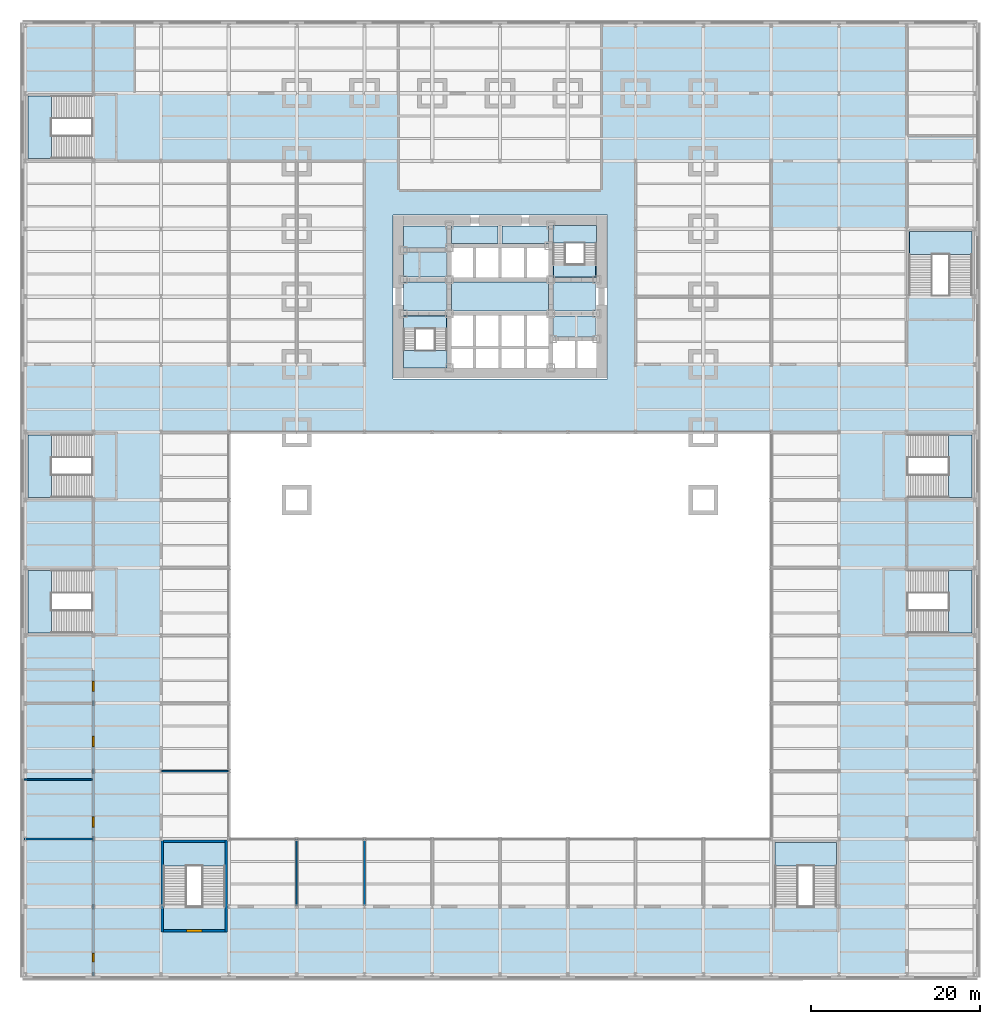
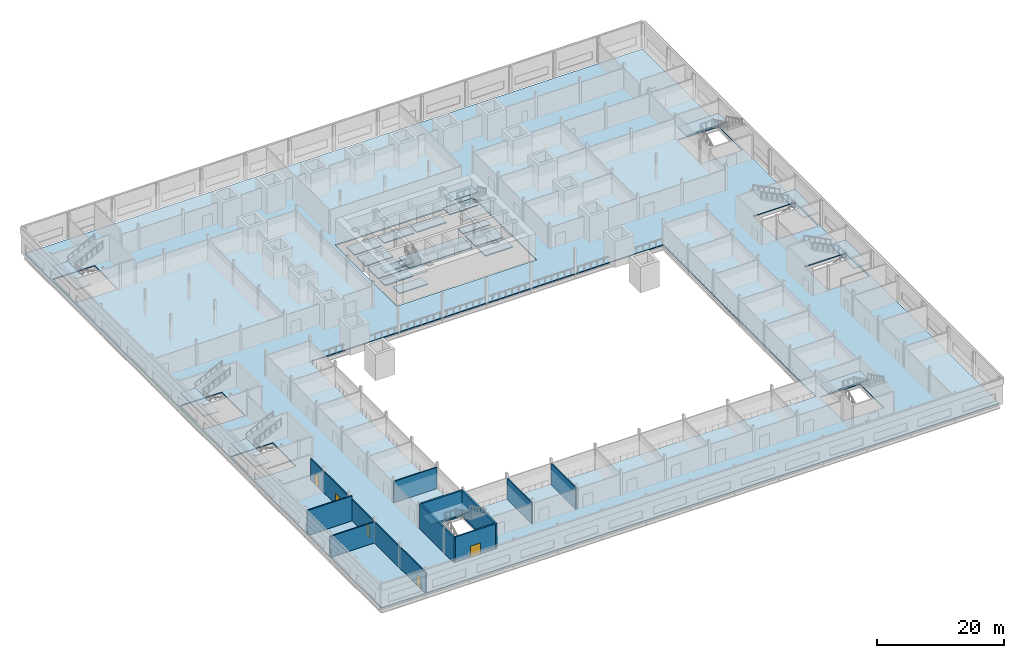
# One storey, part 9 of 22: 25 slabs, 10 walls, 5 doors, 5 openings, 10 elements without a shape of their own.
"""IFC4 building model written with IfcOpenShell, lengths in metres."""

import ifcopenshell
import ifcopenshell.guid

model = None  # the IFC model being written
_history = None  # IfcOwnerHistory: only IFC2X3 demands one
_inside = {}  # id of a spatial element -> (the spatial element, [elements in it])
_under = {}  # id of a project, library or spatial element -> (it, [spatial elements below it])
_declared = {}  # id of a project -> (the project, [libraries it declares])
_typed = {}  # id of a type object -> (the type object, [elements of that type])
_made_of = {}  # id of a material, layer set ... -> (it, [elements and type objects made of it])


def new_model(schema):
    """Start an empty IFC model of exactly this schema.

    Asked for "IFC4X3", IfcOpenShell would pick the latest addendum, in which some entities
    have other attributes; the version numbers below select the first issue.
    IFC2X3 requires an IfcOwnerHistory on every rooted entity: one is made here for all.
    """
    global model, _history
    if schema == "IFC4X3":
        model = ifcopenshell.file(schema_version=(4, 3, 0, 0))
    else:
        model = ifcopenshell.file(schema=schema)
    _inside.clear()
    _under.clear()
    _declared.clear()
    _typed.clear()
    _made_of.clear()
    _history = None
    if model.schema == "IFC2X3":
        org = make("IfcOrganization", Name="unknown")
        user = make(
            "IfcPersonAndOrganization",
            ThePerson=make("IfcPerson", FamilyName="unknown"),
            TheOrganization=org,
        )
        app = make(
            "IfcApplication",
            ApplicationDeveloper=org,
            Version="unknown",
            ApplicationFullName="unknown",
            ApplicationIdentifier="unknown",
        )
        _history = make(
            "IfcOwnerHistory",
            OwningUser=user,
            OwningApplication=app,
            ChangeAction="ADDED",
            CreationDate=0,
        )
    return model


def make(cls, **values):
    """One entity of the class cls with the attributes given. An attribute that is None is left unset."""
    return model.create_entity(
        cls, **{name: value for name, value in values.items() if value is not None}
    )


def rooted(cls, **values):
    """An entity with a GlobalId (a new one), such as an element, a storey or a relation."""
    return make(cls, GlobalId=ifcopenshell.guid.new(), OwnerHistory=_history, **values)


def si_unit(unit_type, name, prefix=None):
    """IfcSIUnit, for example si_unit("LENGTHUNIT", "METRE", prefix="MILLI")."""
    return make("IfcSIUnit", UnitType=unit_type, Prefix=prefix, Name=name)


def assignment(units):
    """IfcUnitAssignment: the units of a project."""
    return None if units is None else make("IfcUnitAssignment", Units=units)


def point(xyz):
    """IfcCartesianPoint."""
    return None if xyz is None else make("IfcCartesianPoint", Coordinates=xyz)


def direction(xyz):
    """IfcDirection."""
    return None if xyz is None else make("IfcDirection", DirectionRatios=xyz)


def frame(location, z_axis=None, x_axis=None):
    """IfcAxis2Placement3D, a coordinate frame: its origin and axes. An axis left out is left unset."""
    return make(
        "IfcAxis2Placement3D",
        Location=point(location),
        Axis=direction(z_axis),
        RefDirection=direction(x_axis),
    )


def frame_2d(location, x_axis=None):
    """IfcAxis2Placement2D, a coordinate frame in the plane: its origin and x axis."""
    return make(
        "IfcAxis2Placement2D", Location=point(location), RefDirection=direction(x_axis)
    )


def origin():
    """The frame at (0, 0, 0) with its axes left unset."""
    return frame((0.0, 0.0, 0.0))


def place(relative_to, where):
    """IfcLocalPlacement: puts the frame where relative to a parent placement (None: the world)."""
    return make(
        "IfcLocalPlacement", PlacementRelTo=relative_to, RelativePlacement=where
    )


def context(
    kind, dimensions, precision=None, world=None, true_north=None, identifier=None
):
    """IfcGeometricRepresentationContext, for example the 3D "Model" context."""
    return make(
        "IfcGeometricRepresentationContext",
        ContextIdentifier=identifier,
        ContextType=kind,
        CoordinateSpaceDimension=dimensions,
        Precision=precision,
        WorldCoordinateSystem=world,
        TrueNorth=true_north,
    )


def subcontext(parent, identifier, kind, view, scale=None):
    """IfcGeometricRepresentationSubContext, for example "Body" below "Model"."""
    return make(
        "IfcGeometricRepresentationSubContext",
        ContextIdentifier=identifier,
        ContextType=kind,
        ParentContext=parent,
        TargetScale=scale,
        TargetView=view,
    )


def project(units=None, contexts=None):
    """IfcProject with its units and contexts."""
    return rooted(
        "IfcProject",
        Name="project",
        RepresentationContexts=contexts,
        UnitsInContext=assignment(units),
    )


def spatial(cls, under=None, at=None, **own):
    """A site, building, storey or space (cls), placed at a placement, below another one or the project."""
    s = rooted(cls, ObjectPlacement=at, **own)
    if under is not None:
        _under.setdefault(under.id(), (under, []))[1].append(s)
    return s


def polyline(points):
    """IfcPolyline through the points."""
    return make("IfcPolyline", Points=[point(p) for p in points])


def profile(cls, at=None, kind="AREA", **sizes):
    """A parametric profile (cls). Its sizes go by their IFC names, for example OverallWidth=200.0."""
    return make(cls, ProfileType=kind, Position=at, **sizes)


def rectangle(**sizes):
    """IfcRectangleProfileDef."""
    return profile("IfcRectangleProfileDef", **sizes)


def outline(outer, holes=None, kind="AREA"):
    """IfcArbitraryClosedProfileDef: a profile drawn as a closed curve; with holes, ...WithVoids."""
    if holes is None:
        return make("IfcArbitraryClosedProfileDef", ProfileType=kind, OuterCurve=outer)
    return make(
        "IfcArbitraryProfileDefWithVoids",
        ProfileType=kind,
        OuterCurve=outer,
        InnerCurves=holes,
    )


def extrude(swept, where, along, depth):
    """IfcExtrudedAreaSolid: the profile swept, set in the frame where, extruded along a direction by depth."""
    return make(
        "IfcExtrudedAreaSolid",
        SweptArea=swept,
        Position=where,
        ExtrudedDirection=direction(along),
        Depth=depth,
    )


def shape(context_of_items, identifier, shape_type, items):
    """IfcShapeRepresentation: the items that make up one representation, for example the "Body"."""
    return make(
        "IfcShapeRepresentation",
        ContextOfItems=context_of_items,
        RepresentationIdentifier=identifier,
        RepresentationType=shape_type,
        Items=items,
    )


def material(Name=None, Category=None):
    """IfcMaterial."""
    return make("IfcMaterial", Name=Name, Category=Category)


def layer(
    of_material, thickness, ventilated=None, Name=None, Category=None, Priority=None
):
    """IfcMaterialLayer: one layer of a wall or slab, of a material (None: an air gap)."""
    return make(
        "IfcMaterialLayer",
        Material=of_material,
        LayerThickness=thickness,
        IsVentilated=ventilated,
        Name=Name,
        Category=Category,
        Priority=Priority,
    )


def layer_set(layers, Name=None):
    """IfcMaterialLayerSet."""
    return make("IfcMaterialLayerSet", MaterialLayers=layers, LayerSetName=Name)


def made_of(thing, what):
    """Note that an element or type object is made of a material, layer set ...; save() writes the relation."""
    if what is not None:
        _made_of.setdefault(what.id(), (what, []))[1].append(thing)
    return thing


def type_object(cls, material=None, **own):
    """A type object (cls), such as IfcWallType, which elements share."""
    return made_of(rooted(cls, **own), material)


def element(
    cls,
    number,
    at=None,
    inside=None,
    cuts=None,
    type_object=None,
    material=None,
    context=None,
    identifier="Body",
    shape_type=None,
    held_by="IfcProductDefinitionShape",
    body=None,
    shapes=None,
    **own,
):
    """One element of the class cls, such as IfcWall. Its Tag is "e" and its number.

    at: its placement. inside: the storey or other place that contains it. cuts: it is an
    opening in that element (IfcRelVoidsElement). A single representation is given by context,
    identifier, shape_type and body (its items); several are given by shapes. held_by: the class
    of the entity that holds the representations. save() writes the other relations.
    """
    e = rooted(cls, Tag="e%d" % number, ObjectPlacement=at, **own)
    if body is not None:
        shapes = [shape(context, identifier, shape_type, body)]
    if shapes is not None:
        e.Representation = make(held_by, Representations=shapes)
    if inside is not None:
        _inside.setdefault(inside.id(), (inside, []))[1].append(e)
    if cuts is not None:
        rooted(
            "IfcRelVoidsElement", RelatingBuildingElement=cuts, RelatedOpeningElement=e
        )
    if type_object is not None:
        _typed.setdefault(type_object.id(), (type_object, []))[1].append(e)
    return made_of(e, material)


def fill(opening, filler):
    """IfcRelFillsElement: the door or window that sits in an opening."""
    return rooted(
        "IfcRelFillsElement",
        RelatingOpeningElement=opening,
        RelatedBuildingElement=filler,
    )


def aggregate(whole, parts):
    """IfcRelAggregates: a whole, such as a stair, and the parts it consists of."""
    return rooted("IfcRelAggregates", RelatingObject=whole, RelatedObjects=parts)


def save(model, path):
    """Write the relations noted so far, then the file.

    IfcRelAggregates (storeys below a building ...), IfcRelContainedInSpatialStructure (elements
    in a storey), IfcRelDefinesByType, IfcRelAssociatesMaterial and IfcRelDeclares: one each for
    every whole, place, type object, material and project.
    """
    for whole, parts in _under.values():
        aggregate(whole, parts)
    for where, things in _inside.values():
        rooted(
            "IfcRelContainedInSpatialStructure",
            RelatedElements=things,
            RelatingStructure=where,
        )
    for kind, things in _typed.values():
        rooted("IfcRelDefinesByType", RelatedObjects=things, RelatingType=kind)
    for what, things in _made_of.values():
        rooted("IfcRelAssociatesMaterial", RelatedObjects=things, RelatingMaterial=what)
    for by, libraries in _declared.values():
        rooted("IfcRelDeclares", RelatingContext=by, RelatedDefinitions=libraries)
    model.write(path)


model = new_model("IFC4")

# Units and contexts
model_context = context("Model", 3, precision=1e-05, world=origin(), true_north=direction((0.0, 1.0)))
body_context = subcontext(model_context, "Body", "Model", "MODEL_VIEW")
ifc_project = project(units=[si_unit("LENGTHUNIT", "METRE"), si_unit("AREAUNIT", "SQUARE_METRE"), si_unit("VOLUMEUNIT", "CUBIC_METRE"), si_unit("PLANEANGLEUNIT", "RADIAN"), si_unit("MASSUNIT", "GRAM", prefix="KILO")], contexts=[model_context])

# Site, building, storey
site_placement = place(None, origin())
site = spatial("IfcSite", under=ifc_project, at=site_placement, CompositionType="ELEMENT")
building_placement = place(site_placement, origin())
building = spatial("IfcBuilding", under=site, at=building_placement, Name="Daluyong Arena Tower", CompositionType="ELEMENT")
storey_placement = place(building_placement, frame((0.0, 0.0, 9.89990234375)))
storey = spatial("IfcBuildingStorey", under=building, at=storey_placement, Name="L02", CompositionType="ELEMENT", Elevation=9.89990234375)

# Slabs
ifc_material_1 = material(Name="Concrete fc' 35 MPa", Category="concrete")
ifc_layer_1 = layer(ifc_material_1, 0.199951171875)
ifc_layer_set_1 = layer_set([ifc_layer_1], Name="Concrete fc' 35 MPa")
slab_type_1 = type_object("IfcSlabType", Name="Podium floor slab 200", PredefinedType="FLOOR", material=ifc_layer_set_1)
slab_1_placement = place(storey_placement, frame((0.0, 0.0, -0.199951171875)))
element("IfcSlab", 1, at=slab_1_placement, inside=storey, type_object=slab_type_1, Name="podium floor L02 part 1", PredefinedType="FLOOR", context=body_context, shape_type="SweptSolid", body=[
    extrude(outline(polyline([(49.699951171875, 76.175048828125), (49.699951171875, 77.699951171875), (44.639892578125, 77.699951171875), (44.639892578125, 76.175048828125), (49.699951171875, 76.175048828125)])), origin(), (0.0, 0.0, 1.0), 0.199951171875),
])
slab_2_placement = place(storey_placement, frame((0.0, 0.0, -0.199951171875)))
element("IfcSlab", 2, at=slab_2_placement, inside=storey, type_object=slab_type_1, Name="podium floor L02 part 2", PredefinedType="FLOOR", context=body_context, shape_type="SweptSolid", body=[
    extrude(outline(polyline([(44.639892578125, 78.300048828125), (49.699951171875, 78.300048828125), (49.699951171875, 81.699951171875), (44.639892578125, 81.699951171875), (44.639892578125, 78.300048828125)])), origin(), (0.0, 0.0, 1.0), 0.199951171875),
])
slab_3_placement = place(storey_placement, frame((0.0, 0.0, -0.199951171875)))
element("IfcSlab", 3, at=slab_3_placement, inside=storey, type_object=slab_type_1, Name="podium floor L02 part 3", PredefinedType="FLOOR", context=body_context, shape_type="SweptSolid", body=[
    extrude(outline(polyline([(44.639892578125, 82.300048828125), (49.699951171875, 82.300048828125), (49.699951171875, 85.199951171875), (44.639892578125, 85.199951171875), (44.639892578125, 82.300048828125)])), origin(), (0.0, 0.0, 1.0), 0.199951171875),
])
slab_4_placement = place(storey_placement, frame((0.0, 0.0, -0.199951171875)))
element("IfcSlab", 4, at=slab_4_placement, inside=storey, type_object=slab_type_1, Name="podium floor L02 part 4", PredefinedType="FLOOR", context=body_context, shape_type="SweptSolid", body=[
    extrude(outline(polyline([(44.639892578125, 88.360107421875), (44.639892578125, 85.800048828125), (49.699951171875, 85.800048828125), (49.699951171875, 88.360107421875), (44.639892578125, 88.360107421875)])), origin(), (0.0, 0.0, 1.0), 0.199951171875),
])
slab_5_placement = place(storey_placement, frame((0.0, 0.0, -0.199951171875)))
element("IfcSlab", 5, at=slab_5_placement, inside=storey, type_object=slab_type_1, Name="podium floor L02 part 5", PredefinedType="FLOOR", context=body_context, shape_type="SweptSolid", body=[
    extrude(outline(polyline([(50.300048828125, 88.360107421875), (50.300048828125, 86.300048828125), (55.77490234375, 86.300048828125), (55.77490234375, 88.360107421875), (50.300048828125, 88.360107421875)])), origin(), (0.0, 0.0, 1.0), 0.199951171875),
])
slab_6_placement = place(storey_placement, frame((0.0, 0.0, -0.199951171875)))
element("IfcSlab", 6, at=slab_6_placement, inside=storey, type_object=slab_type_1, Name="podium floor L02 part 6", PredefinedType="FLOOR", context=body_context, shape_type="SweptSolid", body=[
    extrude(outline(polyline([(0.0, 112.0), (0.0, 0.0), (112.0, 0.0), (112.0, 112.0), (0.0, 112.0)]), holes=[polyline([(24.0, 64.0), (88.0, 64.0), (88.0, 16.0), (24.0, 16.0), (24.0, 64.0)]), polyline([(23.550048828125, 15.550048828125), (23.550048828125, 8.010009765625), (19.0, 8.010009765625), (19.0, 8.06005859375), (16.300048828125, 8.06005859375), (16.300048828125, 15.550048828125), (23.550048828125, 15.550048828125)]), polyline([(7.7900390625, 40.300048828125), (0.300048828125, 40.300048828125), (0.300048828125, 47.699951171875), (7.840087890625, 47.699951171875), (7.840087890625, 43.0), (7.7900390625, 43.0), (7.7900390625, 40.300048828125)]), polyline([(7.7900390625, 56.300048828125), (0.300048828125, 56.300048828125), (0.300048828125, 63.699951171875), (7.840087890625, 63.699951171875), (7.840087890625, 59.0), (7.7900390625, 59.0), (7.7900390625, 56.300048828125)]), polyline([(68.699951171875, 89.639892578125), (68.699951171875, 70.300048828125), (43.360107421875, 70.300048828125), (43.360107421875, 89.639892578125), (68.699951171875, 89.639892578125)]), polyline([(7.7900390625, 99.0), (7.7900390625, 96.300048828125), (0.300048828125, 96.300048828125), (0.300048828125, 103.699951171875), (7.840087890625, 103.699951171875), (7.840087890625, 99.0), (7.7900390625, 99.0)]), polyline([(95.699951171875, 8.010009765625), (91.14990234375, 8.010009765625), (91.14990234375, 8.06005859375), (88.449951171875, 8.06005859375), (88.449951171875, 15.550048828125), (95.699951171875, 15.550048828125), (95.699951171875, 8.010009765625)]), polyline([(104.159912109375, 43.0), (104.159912109375, 47.699951171875), (111.699951171875, 47.699951171875), (111.699951171875, 40.300048828125), (104.2099609375, 40.300048828125), (104.2099609375, 43.0), (104.159912109375, 43.0)]), polyline([(104.2099609375, 59.0), (104.159912109375, 59.0), (104.159912109375, 63.699951171875), (111.699951171875, 63.699951171875), (111.699951171875, 56.300048828125), (104.2099609375, 56.300048828125), (104.2099609375, 59.0)]), polyline([(107.0, 80.159912109375), (107.0, 80.2099609375), (104.300048828125, 80.2099609375), (104.300048828125, 87.699951171875), (111.699951171875, 87.699951171875), (111.699951171875, 80.159912109375), (107.0, 80.159912109375)])]), origin(), (0.0, 0.0, 1.0), 0.199951171875),
])
slab_7_placement = place(storey_placement, frame((0.0, 0.0, -0.199951171875)))
element("IfcSlab", 7, at=slab_7_placement, inside=storey, type_object=slab_type_1, Name="podium floor L02 part 7", PredefinedType="FLOOR", context=body_context, shape_type="SweptSolid", body=[
    extrude(outline(polyline([(61.699951171875, 81.699951171875), (50.300048828125, 81.699951171875), (50.300048828125, 78.300048828125), (61.699951171875, 78.300048828125), (61.699951171875, 81.699951171875)])), origin(), (0.0, 0.0, 1.0), 0.199951171875),
])
slab_8_placement = place(storey_placement, frame((0.0, 0.0, -0.199951171875)))
element("IfcSlab", 8, at=slab_8_placement, inside=storey, type_object=slab_type_1, Name="podium floor L02 part 8", PredefinedType="FLOOR", context=body_context, shape_type="SweptSolid", body=[
    extrude(outline(polyline([(56.22509765625, 88.360107421875), (56.22509765625, 86.300048828125), (61.699951171875, 86.300048828125), (61.699951171875, 88.360107421875), (56.22509765625, 88.360107421875)])), origin(), (0.0, 0.0, 1.0), 0.199951171875),
])
slab_9_placement = place(storey_placement, frame((0.0, 0.0, -0.199951171875)))
element("IfcSlab", 9, at=slab_9_placement, inside=storey, type_object=slab_type_1, Name="podium floor L02 part 9", PredefinedType="FLOOR", context=body_context, shape_type="SweptSolid", body=[
    extrude(outline(polyline([(67.300048828125, 75.300048828125), (67.300048828125, 77.699951171875), (62.300048828125, 77.699951171875), (62.300048828125, 75.300048828125), (67.300048828125, 75.300048828125)])), origin(), (0.0, 0.0, 1.0), 0.199951171875),
])
slab_10_placement = place(storey_placement, frame((0.0, 0.0, -0.199951171875)))
element("IfcSlab", 10, at=slab_10_placement, inside=storey, type_object=slab_type_1, Name="podium floor L02 part 10", PredefinedType="FLOOR", context=body_context, shape_type="SweptSolid", body=[
    extrude(outline(polyline([(67.300048828125, 81.699951171875), (62.300048828125, 81.699951171875), (62.300048828125, 78.300048828125), (67.300048828125, 78.300048828125), (67.300048828125, 81.699951171875)])), origin(), (0.0, 0.0, 1.0), 0.199951171875),
])
slab_11_placement = place(storey_placement, frame((0.0, 0.0, -0.199951171875)))
element("IfcSlab", 11, at=slab_11_placement, inside=storey, type_object=slab_type_1, Name="podium floor L02 part 11", PredefinedType="FLOOR", context=body_context, shape_type="SweptSolid", body=[
    extrude(outline(polyline([(62.300048828125, 83.824951171875), (62.300048828125, 82.300048828125), (67.300048828125, 82.300048828125), (67.300048828125, 83.824951171875), (62.300048828125, 83.824951171875)])), origin(), (0.0, 0.0, 1.0), 0.199951171875),
])

# Stair, slabs
ifc_material_2 = material(Name="Concrete fc' 35 MPa", Category="concrete")
stair_type_1 = type_object("IfcStairType", Name="Core exit stair", PredefinedType="HALF_TURN_STAIR", material=ifc_material_2)
stair_1_placement = place(storey_placement, origin())
stair_1 = element("IfcStair", 12, at=stair_1_placement, inside=storey, type_object=stair_type_1, Name="exit stair A L02", PredefinedType="HALF_TURN_STAIR")
ifc_material_3 = material(Name="Concrete fc' 35 MPa", Category="concrete")
ifc_layer_2 = layer(ifc_material_3, 0.199951171875)
ifc_layer_set_2 = layer_set([ifc_layer_2], Name="Concrete fc' 35 MPa")
slab_type_2 = type_object("IfcSlabType", Name="Stair landing 200", PredefinedType="LANDING", material=ifc_layer_set_2)
slab_12_placement = place(storey_placement, frame((0.0, 0.0, 1.050048828125)))
slab_12 = element("IfcSlab", 13, at=slab_12_placement, type_object=slab_type_2, Name="STA landing 1", PredefinedType="LANDING", context=body_context, shape_type="SweptSolid", body=[
    extrude(outline(polyline([(44.60009765625, 71.60009765625), (49.75, 71.60009765625), (49.75, 73.655029296875), (44.60009765625, 73.655029296875), (44.60009765625, 71.60009765625)])), origin(), (0.0, 0.0, 1.0), 0.199951171875),
])
slab_13_placement = place(storey_placement, frame((0.0, 0.0, 2.300048828125)))
slab_13 = element("IfcSlab", 14, at=slab_13_placement, type_object=slab_type_2, Name="STA landing 2", PredefinedType="LANDING", context=body_context, shape_type="SweptSolid", body=[
    extrude(outline(polyline([(44.60009765625, 76.175048828125), (49.75, 76.175048828125), (49.75, 77.75), (44.60009765625, 77.75), (44.60009765625, 76.175048828125)])), origin(), (0.0, 0.0, 1.0), 0.199951171875),
])
slab_14_placement = place(storey_placement, frame((0.0, 0.0, 3.550048828125)))
slab_14 = element("IfcSlab", 15, at=slab_14_placement, type_object=slab_type_2, Name="STA landing 3", PredefinedType="LANDING", context=body_context, shape_type="SweptSolid", body=[
    extrude(outline(polyline([(44.60009765625, 71.60009765625), (49.75, 71.60009765625), (49.75, 73.655029296875), (44.60009765625, 73.655029296875), (44.60009765625, 71.60009765625)])), origin(), (0.0, 0.0, 1.0), 0.199951171875),
])
aggregate(stair_1, [slab_12, slab_13, slab_14])

stair_2_placement = place(storey_placement, origin())
stair_2 = element("IfcStair", 16, at=stair_2_placement, inside=storey, type_object=stair_type_1, Name="exit stair B L02", PredefinedType="HALF_TURN_STAIR")
slab_15_placement = place(storey_placement, frame((0.0, 0.0, 1.050048828125)))
slab_15 = element("IfcSlab", 17, at=slab_15_placement, type_object=slab_type_2, Name="STB landing 1", PredefinedType="LANDING", context=body_context, shape_type="SweptSolid", body=[
    extrude(outline(polyline([(62.25, 86.344970703125), (67.39990234375, 86.344970703125), (67.39990234375, 88.39990234375), (62.25, 88.39990234375), (62.25, 86.344970703125)])), origin(), (0.0, 0.0, 1.0), 0.199951171875),
])
slab_16_placement = place(storey_placement, frame((0.0, 0.0, 2.300048828125)))
slab_16 = element("IfcSlab", 18, at=slab_16_placement, type_object=slab_type_2, Name="STB landing 2", PredefinedType="LANDING", context=body_context, shape_type="SweptSolid", body=[
    extrude(outline(polyline([(62.25, 82.25), (67.39990234375, 82.25), (67.39990234375, 83.824951171875), (62.25, 83.824951171875), (62.25, 82.25)])), origin(), (0.0, 0.0, 1.0), 0.199951171875),
])
slab_17_placement = place(storey_placement, frame((0.0, 0.0, 3.550048828125)))
slab_17 = element("IfcSlab", 19, at=slab_17_placement, type_object=slab_type_2, Name="STB landing 3", PredefinedType="LANDING", context=body_context, shape_type="SweptSolid", body=[
    extrude(outline(polyline([(62.25, 86.344970703125), (67.39990234375, 86.344970703125), (67.39990234375, 88.39990234375), (62.25, 88.39990234375), (62.25, 86.344970703125)])), origin(), (0.0, 0.0, 1.0), 0.199951171875),
])
aggregate(stair_2, [slab_15, slab_16, slab_17])

# Stair, slab
ifc_material_4 = material(Name="Concrete fc' 35 MPa", Category="concrete")
stair_type_2 = type_object("IfcStairType", Name="Podium exit stair", PredefinedType="HALF_TURN_STAIR", material=ifc_material_4)
stair_3_placement = place(storey_placement, origin())
stair_3 = element("IfcStair", 20, at=stair_3_placement, inside=storey, type_object=stair_type_2, Name="exit stair PS1 L02", PredefinedType="HALF_TURN_STAIR")
slab_18_placement = place(storey_placement, frame((0.0, 0.0, 2.300048828125)))
slab_18 = element("IfcSlab", 21, at=slab_18_placement, type_object=slab_type_2, Name="PS1 landing 1", PredefinedType="LANDING", context=body_context, shape_type="SweptSolid", body=[
    extrude(outline(polyline([(16.300048828125, 12.81005859375), (23.550048828125, 12.81005859375), (23.550048828125, 15.550048828125), (16.300048828125, 15.550048828125), (16.300048828125, 12.81005859375)])), origin(), (0.0, 0.0, 1.0), 0.199951171875),
])
aggregate(stair_3, [slab_18])

stair_4_placement = place(storey_placement, origin())
stair_4 = element("IfcStair", 22, at=stair_4_placement, inside=storey, type_object=stair_type_2, Name="exit stair PS2 L02", PredefinedType="HALF_TURN_STAIR")
slab_19_placement = place(storey_placement, frame((0.0, 0.0, 2.300048828125)))
slab_19 = element("IfcSlab", 23, at=slab_19_placement, type_object=slab_type_2, Name="PS2 landing 1", PredefinedType="LANDING", context=body_context, shape_type="SweptSolid", body=[
    extrude(outline(polyline([(88.449951171875, 12.81005859375), (95.699951171875, 12.81005859375), (95.699951171875, 15.550048828125), (88.449951171875, 15.550048828125), (88.449951171875, 12.81005859375)])), origin(), (0.0, 0.0, 1.0), 0.199951171875),
])
aggregate(stair_4, [slab_19])

stair_5_placement = place(storey_placement, origin())
stair_5 = element("IfcStair", 24, at=stair_5_placement, inside=storey, type_object=stair_type_2, Name="exit stair PS3 L02", PredefinedType="HALF_TURN_STAIR")
slab_20_placement = place(storey_placement, frame((0.0, 0.0, 2.300048828125)))
slab_20 = element("IfcSlab", 25, at=slab_20_placement, type_object=slab_type_2, Name="PS3 landing 1", PredefinedType="LANDING", context=body_context, shape_type="SweptSolid", body=[
    extrude(outline(polyline([(3.0400390625, 40.300048828125), (3.0400390625, 47.699951171875), (0.300048828125, 47.699951171875), (0.300048828125, 40.300048828125), (3.0400390625, 40.300048828125)])), origin(), (0.0, 0.0, 1.0), 0.199951171875),
])
aggregate(stair_5, [slab_20])

stair_6_placement = place(storey_placement, origin())
stair_6 = element("IfcStair", 26, at=stair_6_placement, inside=storey, type_object=stair_type_2, Name="exit stair PS4 L02", PredefinedType="HALF_TURN_STAIR")
slab_21_placement = place(storey_placement, frame((0.0, 0.0, 2.300048828125)))
slab_21 = element("IfcSlab", 27, at=slab_21_placement, type_object=slab_type_2, Name="PS4 landing 1", PredefinedType="LANDING", context=body_context, shape_type="SweptSolid", body=[
    extrude(outline(polyline([(111.699951171875, 40.300048828125), (111.699951171875, 47.699951171875), (108.9599609375, 47.699951171875), (108.9599609375, 40.300048828125), (111.699951171875, 40.300048828125)])), origin(), (0.0, 0.0, 1.0), 0.199951171875),
])
aggregate(stair_6, [slab_21])

stair_7_placement = place(storey_placement, origin())
stair_7 = element("IfcStair", 28, at=stair_7_placement, inside=storey, type_object=stair_type_2, Name="exit stair PS5 L02", PredefinedType="HALF_TURN_STAIR")
slab_22_placement = place(storey_placement, frame((0.0, 0.0, 2.300048828125)))
slab_22 = element("IfcSlab", 29, at=slab_22_placement, type_object=slab_type_2, Name="PS5 landing 1", PredefinedType="LANDING", context=body_context, shape_type="SweptSolid", body=[
    extrude(outline(polyline([(3.0400390625, 96.300048828125), (3.0400390625, 103.699951171875), (0.300048828125, 103.699951171875), (0.300048828125, 96.300048828125), (3.0400390625, 96.300048828125)])), origin(), (0.0, 0.0, 1.0), 0.199951171875),
])
aggregate(stair_7, [slab_22])

stair_8_placement = place(storey_placement, origin())
stair_8 = element("IfcStair", 30, at=stair_8_placement, inside=storey, type_object=stair_type_2, Name="exit stair PS6 L02", PredefinedType="HALF_TURN_STAIR")
slab_23_placement = place(storey_placement, frame((0.0, 0.0, 2.300048828125)))
slab_23 = element("IfcSlab", 31, at=slab_23_placement, type_object=slab_type_2, Name="PS6 landing 1", PredefinedType="LANDING", context=body_context, shape_type="SweptSolid", body=[
    extrude(outline(polyline([(104.300048828125, 84.9599609375), (111.699951171875, 84.9599609375), (111.699951171875, 87.699951171875), (104.300048828125, 87.699951171875), (104.300048828125, 84.9599609375)])), origin(), (0.0, 0.0, 1.0), 0.199951171875),
])
aggregate(stair_8, [slab_23])

stair_9_placement = place(storey_placement, origin())
stair_9 = element("IfcStair", 32, at=stair_9_placement, inside=storey, type_object=stair_type_2, Name="exit stair PS7 L02", PredefinedType="HALF_TURN_STAIR")
slab_24_placement = place(storey_placement, frame((0.0, 0.0, 2.300048828125)))
slab_24 = element("IfcSlab", 33, at=slab_24_placement, type_object=slab_type_2, Name="PS7 landing 1", PredefinedType="LANDING", context=body_context, shape_type="SweptSolid", body=[
    extrude(outline(polyline([(3.0400390625, 56.300048828125), (3.0400390625, 63.699951171875), (0.300048828125, 63.699951171875), (0.300048828125, 56.300048828125), (3.0400390625, 56.300048828125)])), origin(), (0.0, 0.0, 1.0), 0.199951171875),
])
aggregate(stair_9, [slab_24])

stair_10_placement = place(storey_placement, origin())
stair_10 = element("IfcStair", 34, at=stair_10_placement, inside=storey, type_object=stair_type_2, Name="exit stair PS8 L02", PredefinedType="HALF_TURN_STAIR")
slab_25_placement = place(storey_placement, frame((0.0, 0.0, 2.300048828125)))
slab_25 = element("IfcSlab", 35, at=slab_25_placement, type_object=slab_type_2, Name="PS8 landing 1", PredefinedType="LANDING", context=body_context, shape_type="SweptSolid", body=[
    extrude(outline(polyline([(111.699951171875, 56.300048828125), (111.699951171875, 63.699951171875), (108.9599609375, 63.699951171875), (108.9599609375, 56.300048828125), (111.699951171875, 56.300048828125)])), origin(), (0.0, 0.0, 1.0), 0.199951171875),
])
aggregate(stair_10, [slab_25])

# Walls
ifc_material_5 = material(Name="Concrete block partition", Category="concrete")
ifc_layer_3 = layer(ifc_material_5, 0.199951171875)
ifc_layer_set_3 = layer_set([ifc_layer_3], Name="Concrete block partition")
wall_type_1 = type_object("IfcWallType", Name="Partition 200", PredefinedType="PARTITIONING", material=ifc_layer_set_3)
wall_1_placement = place(storey_placement, frame((-0.14990234375, 16.0, 0.0), z_axis=(0.0, 0.0, 1.0), x_axis=(1.0, 0.0, 0.0)))
element("IfcWall", 36, at=wall_1_placement, inside=storey, type_object=wall_type_1, Name="partition at L02", PredefinedType="PARTITIONING", context=body_context, shape_type="SweptSolid", body=[
    extrude(rectangle(XDim=8.0498046875, YDim=0.199951171875, at=frame_2d((4.02490234375, 0.0))), origin(), (0.0, 0.0, 1.0), 4.02783203125),
])
wall_2_placement = place(storey_placement, frame((-0.14990234375, 23.0, 0.0), z_axis=(0.0, 0.0, 1.0), x_axis=(1.0, 0.0, 0.0)))
element("IfcWall", 37, at=wall_2_placement, inside=storey, type_object=wall_type_1, Name="partition at L02", PredefinedType="PARTITIONING", context=body_context, shape_type="SweptSolid", body=[
    extrude(rectangle(XDim=8.0498046875, YDim=0.199951171875, at=frame_2d((4.02490234375, 0.0))), origin(), (0.0, 0.0, 1.0), 4.800048828125),
])
wall_3_placement = place(storey_placement, frame((16.10009765625, 24.0, 0.0), z_axis=(0.0, 0.0, 1.0), x_axis=(1.0, 0.0, 0.0)))
element("IfcWall", 38, at=wall_3_placement, inside=storey, type_object=wall_type_1, Name="partition at L02", PredefinedType="PARTITIONING", context=body_context, shape_type="SweptSolid", body=[
    extrude(rectangle(XDim=7.7998046875, YDim=0.199951171875, at=frame_2d((3.89990234375, 0.0))), origin(), (0.0, 0.0, 1.0), 4.071533203125),
])

# Wall, openings, doors
wall_4_placement = place(storey_placement, frame((8.0, -0.14990234375, 0.0), z_axis=(0.0, 0.0, 1.0), x_axis=(0.0, 1.0, 0.0)))
wall_4 = element("IfcWall", 39, at=wall_4_placement, inside=storey, type_object=wall_type_1, Name="partition at L02", PredefinedType="PARTITIONING", context=body_context, shape_type="SweptSolid", body=[
    extrude(rectangle(XDim=36.0498046875, YDim=0.199951171875, at=frame_2d((18.02490234375, 0.0))), origin(), (0.0, 0.0, 1.0), 4.02783203125),
])
opening_1_placement = place(wall_4_placement, frame((17.550048828125, 0.0, 0.0)))
opening_1 = element("IfcOpeningElement", 40, at=opening_1_placement, cuts=wall_4, Name="Opening 02023", PredefinedType="OPENING", context=body_context, shape_type="SweptSolid", body=[
    extrude(rectangle(XDim=1.199951171875, YDim=2.10009765625, at=frame_2d((0.60009765625, 1.050048828125))), frame((0.0, 0.10986328125, 0.0), z_axis=(0.0, -1.0, 0.0), x_axis=(1.0, 0.0, 0.0)), (0.0, 0.0, 1.0), 0.219970703125),
])
opening_2_placement = place(wall_4_placement, frame((27.050048828125, 0.0, 0.0)))
opening_2 = element("IfcOpeningElement", 41, at=opening_2_placement, cuts=wall_4, Name="Opening 02024", PredefinedType="OPENING", context=body_context, shape_type="SweptSolid", body=[
    extrude(rectangle(XDim=1.199951171875, YDim=2.10009765625, at=frame_2d((0.60009765625, 1.050048828125))), frame((0.0, 0.10986328125, 0.0), z_axis=(0.0, -1.0, 0.0), x_axis=(1.0, 0.0, 0.0)), (0.0, 0.0, 1.0), 0.219970703125),
])
opening_3_placement = place(wall_4_placement, frame((33.550048828125, 0.0, 0.0)))
opening_3 = element("IfcOpeningElement", 42, at=opening_3_placement, cuts=wall_4, Name="Opening 02025", PredefinedType="OPENING", context=body_context, shape_type="SweptSolid", body=[
    extrude(rectangle(XDim=1.199951171875, YDim=2.10009765625, at=frame_2d((0.60009765625, 1.050048828125))), frame((0.0, 0.10986328125, 0.0), z_axis=(0.0, -1.0, 0.0), x_axis=(1.0, 0.0, 0.0)), (0.0, 0.0, 1.0), 0.219970703125),
])
opening_4_placement = place(wall_4_placement, frame((1.64990234375, 0.0, 0.0)))
opening_4 = element("IfcOpeningElement", 43, at=opening_4_placement, cuts=wall_4, Name="Opening 02029", PredefinedType="OPENING", context=body_context, shape_type="SweptSolid", body=[
    extrude(rectangle(XDim=1.0, YDim=2.10009765625, at=frame_2d((0.5, 1.050048828125))), frame((0.0, 0.10986328125, 0.0), z_axis=(0.0, -1.0, 0.0), x_axis=(1.0, 0.0, 0.0)), (0.0, 0.0, 1.0), 0.219970703125),
])
ifc_material_6 = material(Name="Timber door", Category="wood")
door_type_1 = type_object("IfcDoorType", Name="Room door 1000", OperationType="SINGLE_SWING_LEFT", PredefinedType="DOOR", material=ifc_material_6)
door_1_placement = place(opening_4_placement, origin())
door_1 = element("IfcDoor", 44, at=door_1_placement, inside=storey, type_object=door_type_1, Name="food and beverage kiosk door 02029", OperationType="SINGLE_SWING_LEFT", OverallHeight=2.10009765625, OverallWidth=1.0, PredefinedType="DOOR", context=body_context, shape_type="SweptSolid", body=[
    extrude(rectangle(XDim=1.0, YDim=2.10009765625, at=frame_2d((0.5, 1.050048828125))), frame((0.0, 0.099609375, 0.0), z_axis=(0.0, -1.0, 0.0), x_axis=(1.0, 0.0, 0.0)), (0.0, 0.0, 1.0), 0.199462890625),
])
fill(opening_4, door_1)
ifc_material_7 = material(Name="Timber door", Category="wood")
door_type_2 = type_object("IfcDoorType", Name="Toilet entry door 1200", OperationType="SINGLE_SWING_RIGHT", PredefinedType="DOOR", material=ifc_material_7)
door_2_placement = place(opening_1_placement, origin())
door_2 = element("IfcDoor", 45, at=door_2_placement, inside=storey, type_object=door_type_2, Name="male toilet door 02023", OperationType="SINGLE_SWING_RIGHT", OverallHeight=2.10009765625, OverallWidth=1.199951171875, PredefinedType="DOOR", context=body_context, shape_type="SweptSolid", body=[
    extrude(rectangle(XDim=1.199951171875, YDim=2.10009765625, at=frame_2d((0.60009765625, 1.050048828125))), frame((0.0, 0.099609375, 0.0), z_axis=(0.0, -1.0, 0.0), x_axis=(1.0, 0.0, 0.0)), (0.0, 0.0, 1.0), 0.199462890625),
])
fill(opening_1, door_2)
door_3_placement = place(opening_2_placement, origin())
door_3 = element("IfcDoor", 46, at=door_3_placement, inside=storey, type_object=door_type_2, Name="female toilet door 02024", OperationType="SINGLE_SWING_RIGHT", OverallHeight=2.10009765625, OverallWidth=1.199951171875, PredefinedType="DOOR", context=body_context, shape_type="SweptSolid", body=[
    extrude(rectangle(XDim=1.199951171875, YDim=2.10009765625, at=frame_2d((0.60009765625, 1.050048828125))), frame((0.0, 0.099609375, 0.0), z_axis=(0.0, -1.0, 0.0), x_axis=(1.0, 0.0, 0.0)), (0.0, 0.0, 1.0), 0.199462890625),
])
fill(opening_2, door_3)
door_4_placement = place(opening_3_placement, origin())
door_4 = element("IfcDoor", 47, at=door_4_placement, inside=storey, type_object=door_type_2, Name="accessible toilet door 02025", OperationType="SINGLE_SWING_RIGHT", OverallHeight=2.10009765625, OverallWidth=1.199951171875, PredefinedType="DOOR", context=body_context, shape_type="SweptSolid", body=[
    extrude(rectangle(XDim=1.199951171875, YDim=2.10009765625, at=frame_2d((0.60009765625, 1.050048828125))), frame((0.0, 0.099609375, 0.0), z_axis=(0.0, -1.0, 0.0), x_axis=(1.0, 0.0, 0.0)), (0.0, 0.0, 1.0), 0.199462890625),
])
fill(opening_3, door_4)

# Walls
for number, where, z_axis, x_axis, name in (
    (48, (32.0, 8.10009765625, 0.0), (0.0, 0.0, 1.0), (0.0, 1.0, 0.0), "partition at L02"),
    (49, (40.0, 8.10009765625, 0.0), (0.0, 0.0, 1.0), (0.0, 1.0, 0.0), "partition at L02"),
):
    element("IfcWall", number, at=place(storey_placement, frame(where, z_axis=z_axis, x_axis=x_axis)), inside=storey, type_object=wall_type_1, Name=name, PredefinedType="PARTITIONING", context=body_context, shape_type="SweptSolid", body=[
        extrude(rectangle(XDim=7.7998046875, YDim=0.199951171875, at=frame_2d((3.89990234375, 0.0))), origin(), (0.0, 0.0, 1.0), 4.071533203125),
    ])
ifc_material_8 = material(Name="Concrete fc' 35 MPa", Category="concrete")
ifc_layer_4 = layer(ifc_material_8, 0.300048828125)
ifc_layer_set_4 = layer_set([ifc_layer_4], Name="Concrete fc' 35 MPa")
wall_type_2 = type_object("IfcWallType", Name="Stair enclosure wall 300", PredefinedType="SOLIDWALL", material=ifc_layer_set_4)
wall_5_placement = place(storey_placement, frame((16.14990234375, 5.0, 0.0), z_axis=(0.0, 0.0, 1.0), x_axis=(0.0, 1.0, 0.0)))
element("IfcWall", 50, at=wall_5_placement, inside=storey, type_object=wall_type_2, Name="exit stair PS1 enclosure", PredefinedType="SOLIDWALL", context=body_context, shape_type="SweptSolid", body=[
    extrude(rectangle(XDim=10.791748046875, YDim=0.300048828125, at=frame_2d((5.39599609375, 0.0))), origin(), (0.0, 0.0, 1.0), 4.800048828125),
])
wall_6_placement = place(storey_placement, frame((23.699951171875, 5.0, 0.0), z_axis=(0.0, 0.0, 1.0), x_axis=(0.0, 1.0, 0.0)))
element("IfcWall", 51, at=wall_6_placement, inside=storey, type_object=wall_type_2, Name="exit stair PS1 enclosure", PredefinedType="SOLIDWALL", context=body_context, shape_type="SweptSolid", body=[
    extrude(rectangle(XDim=10.85009765625, YDim=0.300048828125, at=frame_2d((5.425048828125, 0.0))), origin(), (0.0, 0.0, 1.0), 4.800048828125),
])

# Wall, opening, door
wall_7_placement = place(storey_placement, frame((16.300048828125, 5.14990234375, 0.0), z_axis=(0.0, 0.0, 1.0), x_axis=(1.0, 0.0, 0.0)))
wall_7 = element("IfcWall", 52, at=wall_7_placement, inside=storey, type_object=wall_type_2, Name="exit stair PS1 enclosure", PredefinedType="SOLIDWALL", context=body_context, shape_type="SweptSolid", body=[
    extrude(rectangle(XDim=7.25, YDim=0.300048828125, at=frame_2d((3.625, 0.0))), origin(), (0.0, 0.0, 1.0), 4.800048828125),
])
opening_5_placement = place(wall_7_placement, frame((2.72509765625, 0.0, 0.0)))
opening_5 = element("IfcOpeningElement", 53, at=opening_5_placement, cuts=wall_7, Name="Opening 02015", PredefinedType="OPENING", context=body_context, shape_type="SweptSolid", body=[
    extrude(rectangle(XDim=1.800048828125, YDim=2.10009765625, at=frame_2d((0.89990234375, 1.050048828125))), frame((0.0, 0.159912109375, 0.0), z_axis=(0.0, -1.0, 0.0), x_axis=(1.0, 0.0, 0.0)), (0.0, 0.0, 1.0), 0.320068359375),
])
ifc_material_9 = material(Name="Steel door, fire rated", Category="steel")
door_type_3 = type_object("IfcDoorType", Name="Exit stair double door 1800", OperationType="DOUBLE_DOOR_SINGLE_SWING", PredefinedType="DOOR", material=ifc_material_9)
door_5_placement = place(opening_5_placement, origin())
door_5 = element("IfcDoor", 54, at=door_5_placement, inside=storey, type_object=door_type_3, Name="exit stair PS1 door 02015", OperationType="DOUBLE_DOOR_SINGLE_SWING", OverallHeight=2.10009765625, OverallWidth=1.800048828125, PredefinedType="DOOR", context=body_context, shape_type="SweptSolid", body=[
    extrude(rectangle(XDim=1.800048828125, YDim=2.10009765625, at=frame_2d((0.89990234375, 1.050048828125))), frame((0.0, 0.14990234375, 0.0), z_axis=(0.0, -1.0, 0.0), x_axis=(1.0, 0.0, 0.0)), (0.0, 0.0, 1.0), 0.299560546875),
])
fill(opening_5, door_5)

# Wall
wall_8_placement = place(storey_placement, frame((16.300048828125, 15.699951171875, 0.0), z_axis=(0.0, 0.0, 1.0), x_axis=(1.0, 0.0, 0.0)))
element("IfcWall", 55, at=wall_8_placement, inside=storey, type_object=wall_type_2, Name="exit stair PS1 enclosure", PredefinedType="SOLIDWALL", context=body_context, shape_type="SweptSolid", body=[
    extrude(rectangle(XDim=7.25, YDim=0.300048828125, at=frame_2d((3.625, 0.0))), origin(), (0.0, 0.0, 1.0), 4.800048828125),
])

save(model, "model.ifc")
